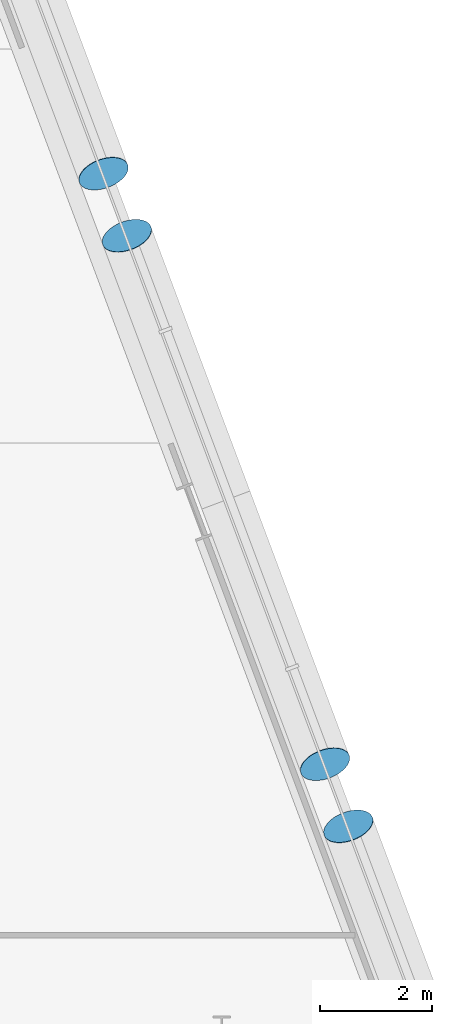
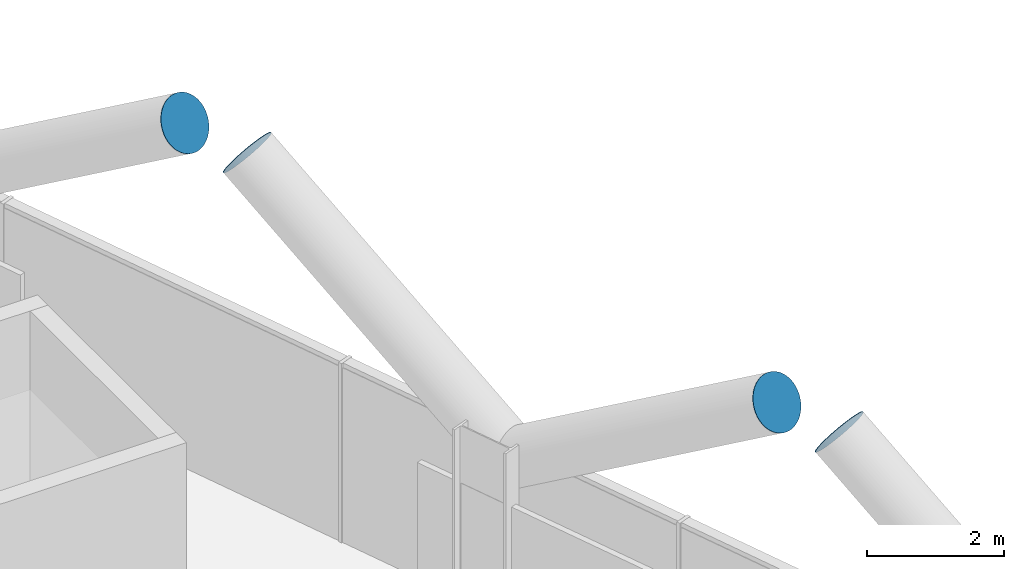
# One storey, part 23 of 27: 4 discrete accessories.
"""IFC4 building model written with IfcOpenShell, lengths in metres."""

from ifc_helpers import new_model, si_unit, direction, frame, origin, origin_2d, place, context, subcontext, project, spatial, circle, extrude, material, material_profile, profile_set, type_object, element, save


model = new_model("IFC4")

# Units and contexts
model_context = context("Model", 3, precision=1e-05, world=origin(), true_north=direction((0.0, 1.0)))
body_context = subcontext(model_context, "Body", "Model", "MODEL_VIEW")
ifc_project = project(units=[si_unit("LENGTHUNIT", "METRE"), si_unit("AREAUNIT", "SQUARE_METRE"), si_unit("VOLUMEUNIT", "CUBIC_METRE"), si_unit("PLANEANGLEUNIT", "RADIAN"), si_unit("MASSUNIT", "GRAM", prefix="KILO")], contexts=[model_context])

# Site, building, storey
site_placement = place(None, origin())
site = spatial("IfcSite", under=ifc_project, at=site_placement, CompositionType="ELEMENT")
building_placement = place(site_placement, origin())
building = spatial("IfcBuilding", under=site, at=building_placement, Name="Wharfspan Tower", CompositionType="ELEMENT")
storey_placement = place(building_placement, frame((0.0, 0.0, 73.899902)))
storey = spatial("IfcBuildingStorey", under=building, at=storey_placement, Name="L15", CompositionType="ELEMENT", Elevation=73.899902)

# Discrete accessories
ifc_material = material(Name="Steel S460NH", Category="steel")
ifc_material_profile = material_profile(ifc_material, circle(Radius=0.457031, at=origin_2d()))
ifc_profile_set = profile_set([ifc_material_profile], Name="Steel S460NH")
discrete_accessory_type = type_object("IfcDiscreteAccessoryType", Name="End plate CHS 914x40", PredefinedType="BRACKET", material=ifc_profile_set)
for number, where, z_axis, x_axis, name in (
    (1, (86.251465, 15.172852, 6.117432), (-0.2913, 0.7768, 0.558325), (-0.936328, -0.351123, 0.0), "End plate CHS 914x40"),
    (2, (85.833008, 16.288574, 6.117432), (0.2913, -0.7768, 0.558325), (0.936328, 0.351123, 0.0), "End plate CHS 914x40"),
    (3, (82.313965, 25.672852, 6.117432), (-0.2913, 0.7768, 0.558325), (-0.936328, -0.351123, 0.0), "End plate CHS 914x40"),
    (4, (81.895508, 26.788574, 6.117432), (0.2913, -0.7768, 0.558325), (0.936328, 0.351123, 0.0), "End plate CHS 914x40"),
):
    element("IfcDiscreteAccessory", number, at=place(storey_placement, frame(where, z_axis=z_axis, x_axis=x_axis)), inside=storey, type_object=discrete_accessory_type, Name=name, PredefinedType="BRACKET", context=body_context, shape_type="SweptSolid", body=[
        extrude(circle(Radius=0.457031, at=origin_2d()), origin(), (0.0, 0.0, 1.0), 0.01001),
    ])

save(model, "model.ifc")
